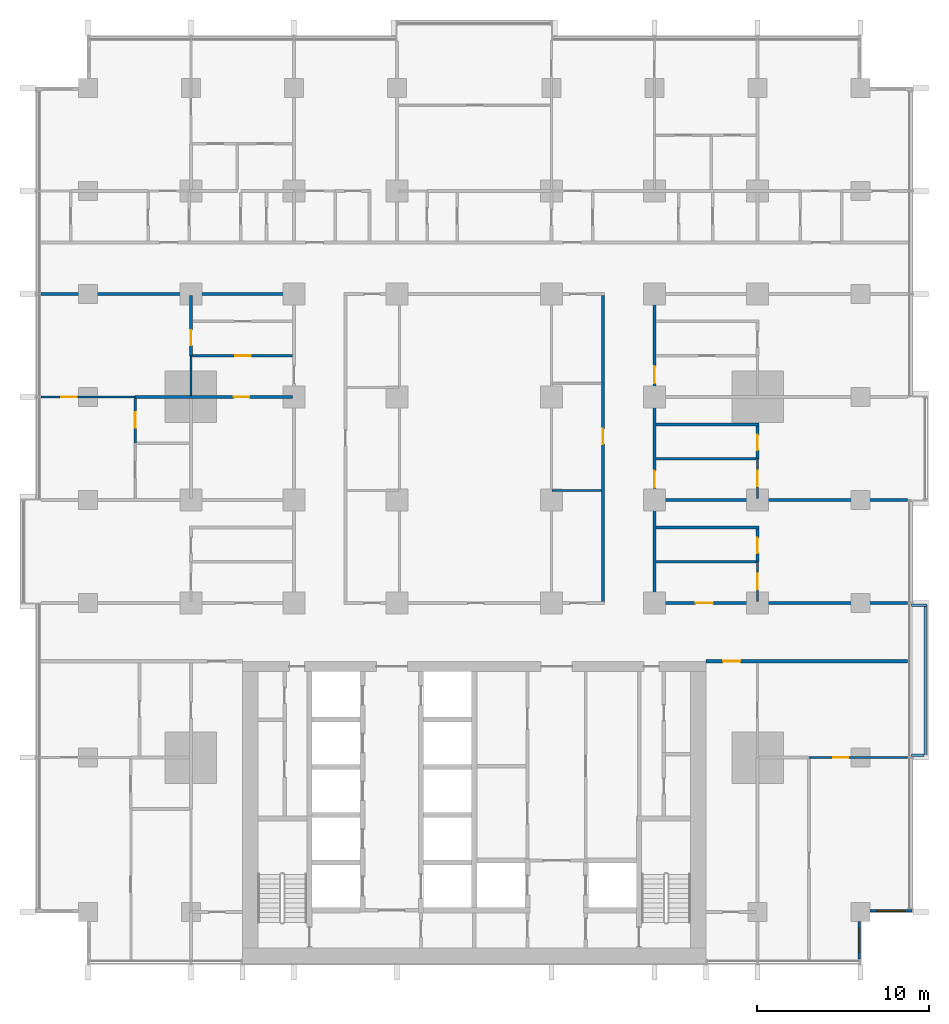
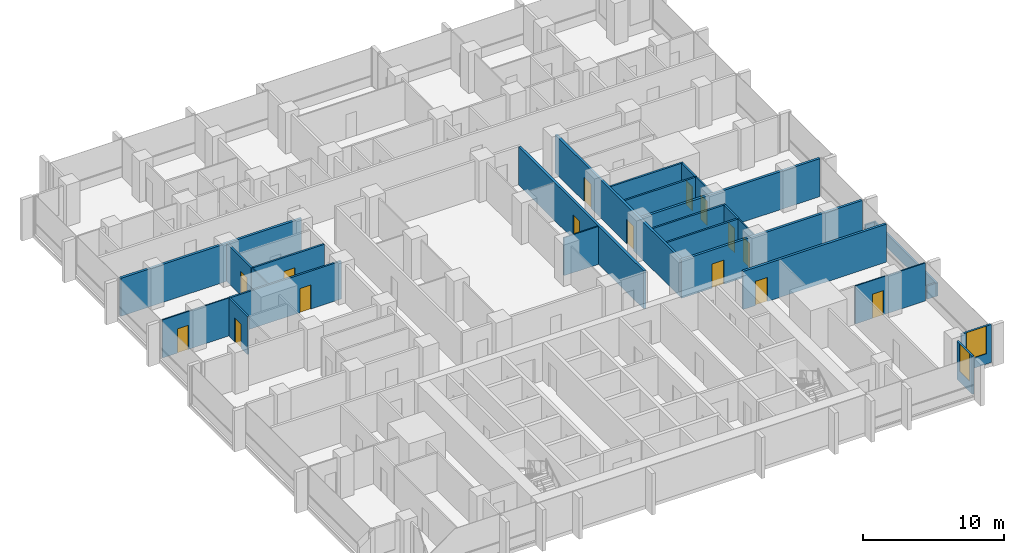
# One storey, part 10 of 18: 27 walls, 15 doors, 2 windows, 17 openings.
"""IFC4 building model written with IfcOpenShell, lengths in metres."""

from ifc_helpers import new_model, si_unit, direction, frame, frame_2d, origin, place, context, subcontext, project, spatial, rectangle, extrude, material, layer, layer_set, type_object, element, fill, save


model = new_model("IFC4")

# Units and contexts
model_context = context("Model", 3, precision=1e-05, world=origin(), true_north=direction((0.0, 1.0)))
body_context = subcontext(model_context, "Body", "Model", "MODEL_VIEW")
ifc_project = project(units=[si_unit("LENGTHUNIT", "METRE"), si_unit("AREAUNIT", "SQUARE_METRE"), si_unit("VOLUMEUNIT", "CUBIC_METRE"), si_unit("PLANEANGLEUNIT", "RADIAN"), si_unit("MASSUNIT", "GRAM", prefix="KILO")], contexts=[model_context])

# Site, building, storey
site_placement = place(None, origin())
site = spatial("IfcSite", under=ifc_project, at=site_placement, CompositionType="ELEMENT")
building_placement = place(site_placement, origin())
building = spatial("IfcBuilding", under=site, at=building_placement, Name="Finial Court Residences", CompositionType="ELEMENT")
storey_placement = place(building_placement, frame((0.0, 0.0, 50.5)))
storey = spatial("IfcBuildingStorey", under=building, at=storey_placement, Name="L11", CompositionType="ELEMENT", Elevation=50.5)

# Wall
ifc_material_1 = material(Name="Gypsum board")
ifc_layer_1 = layer(ifc_material_1, 0.02490234375)
ifc_material_2 = material(Name="Acoustic mineral wool in double frame")
ifc_layer_2 = layer(ifc_material_2, 0.14990234375)
ifc_layer_3 = layer(ifc_material_1, 0.02490234375)
ifc_layer_set_1 = layer_set([ifc_layer_1, ifc_layer_2, ifc_layer_3], Name="Acoustic party wall 200, 1 hour")
wall_type_1 = type_object("IfcWallType", Name="Acoustic party wall 200, 1 hour", PredefinedType="PARTITIONING", material=ifc_layer_set_1)
wall_1_placement = place(storey_placement, frame((10.60009765625, 1.5, 0.0), z_axis=(0.0, 0.0, 1.0), x_axis=(1.0, 0.0, 0.0)))
element("IfcWall", 1, at=wall_1_placement, inside=storey, type_object=wall_type_1, Name="Partition L11-017", PredefinedType="PARTITIONING", context=body_context, shape_type="SweptSolid", body=[
    extrude(rectangle(XDim=14.64990234375, YDim=0.199951171875, at=frame_2d((7.324951171875, 0.0))), origin(), (0.0, 0.0, 1.0), 3.300048828125),
])

# Wall, opening, door
ifc_layer_4 = layer(ifc_material_1, 0.02490234375)
ifc_layer_5 = layer(ifc_material_2, 0.14990234375)
ifc_layer_6 = layer(ifc_material_1, 0.02490234375)
ifc_layer_set_2 = layer_set([ifc_layer_4, ifc_layer_5, ifc_layer_6], Name="Corridor wall 200, 1 hour")
wall_type_2 = type_object("IfcWallType", Name="Corridor wall 200, 1 hour", PredefinedType="PARTITIONING", material=ifc_layer_set_2)
wall_2_placement = place(storey_placement, frame((13.5, -7.89990234375, 0.0), z_axis=(0.0, 0.0, 1.0), x_axis=(1.0, 0.0, 0.0)))
wall_2 = element("IfcWall", 2, at=wall_2_placement, inside=storey, type_object=wall_type_2, Name="Partition L11-008", PredefinedType="PARTITIONING", context=body_context, shape_type="SweptSolid", body=[
    extrude(rectangle(XDim=11.75, YDim=0.199951171875, at=frame_2d((5.875, 0.0))), origin(), (0.0, 0.0, 1.0), 3.300048828125),
])
opening_1_placement = place(wall_2_placement, frame((1.0, 0.0, 0.0)))
opening_1 = element("IfcOpeningElement", 3, at=opening_1_placement, cuts=wall_2, Name="Opening L11-D006", PredefinedType="OPENING", context=body_context, shape_type="SweptSolid", body=[
    extrude(rectangle(XDim=1.0, YDim=2.10009765625, at=frame_2d((0.5, 1.050048828125))), frame((0.0, 0.10986328125, 0.0), z_axis=(0.0, -1.0, 0.0), x_axis=(1.0, 0.0, 0.0)), (0.0, 0.0, 1.0), 0.219970703125),
])
ifc_material_3 = material(Name="Timber door leaf in hollow metal frame", Category="wood")
door_type_1 = type_object("IfcDoorType", Name="Fire door set 1000 x 2100, 30 minutes", OperationType="SINGLE_SWING_LEFT", PredefinedType="DOOR", material=ifc_material_3)
door_1_placement = place(opening_1_placement, origin())
door_1 = element("IfcDoor", 4, at=door_1_placement, inside=storey, type_object=door_type_1, Name="Door L11-D006", OperationType="SINGLE_SWING_LEFT", OverallHeight=2.10009765625, OverallWidth=1.0, PredefinedType="DOOR", context=body_context, shape_type="SweptSolid", body=[
    extrude(rectangle(XDim=1.0, YDim=2.10009765625, at=frame_2d((0.5, 1.050048828125))), frame((0.0, 0.02490234375, 0.0), z_axis=(0.0, -1.0, 0.0), x_axis=(1.0, 0.0, 0.0)), (0.0, 0.0, 1.0), 0.050048828125),
])
fill(opening_1, door_1)

wall_3_placement = place(storey_placement, frame((10.39990234375, -4.5, 0.0), z_axis=(0.0, 0.0, 1.0), x_axis=(1.0, 0.0, 0.0)))
wall_3 = element("IfcWall", 5, at=wall_3_placement, inside=storey, type_object=wall_type_2, Name="Partition L11-011", PredefinedType="PARTITIONING", context=body_context, shape_type="SweptSolid", body=[
    extrude(rectangle(XDim=14.85009765625, YDim=0.199951171875, at=frame_2d((7.425048828125, 0.0))), origin(), (0.0, 0.0, 1.0), 3.300048828125),
])
opening_2_placement = place(wall_3_placement, frame((2.5, 0.0, 0.0)))
opening_2 = element("IfcOpeningElement", 6, at=opening_2_placement, cuts=wall_3, Name="Opening L11-D011", PredefinedType="OPENING", context=body_context, shape_type="SweptSolid", body=[
    extrude(rectangle(XDim=1.0, YDim=2.10009765625, at=frame_2d((0.5, 1.050048828125))), frame((0.0, 0.10986328125, 0.0), z_axis=(0.0, -1.0, 0.0), x_axis=(1.0, 0.0, 0.0)), (0.0, 0.0, 1.0), 0.219970703125),
])
door_2_placement = place(opening_2_placement, origin())
door_2 = element("IfcDoor", 7, at=door_2_placement, inside=storey, type_object=door_type_1, Name="Door L11-D011", OperationType="SINGLE_SWING_RIGHT", OverallHeight=2.10009765625, OverallWidth=1.0, PredefinedType="DOOR", context=body_context, shape_type="SweptSolid", body=[
    extrude(rectangle(XDim=1.0, YDim=2.10009765625, at=frame_2d((0.5, 1.050048828125))), frame((0.0, 0.02490234375, 0.0), z_axis=(0.0, -1.0, 0.0), x_axis=(1.0, 0.0, 0.0)), (0.0, 0.0, 1.0), 0.050048828125),
])
fill(opening_2, door_2)

# Wall
wall_4_placement = place(storey_placement, frame((-25.25, 13.5, 0.0), z_axis=(0.0, 0.0, 1.0), x_axis=(1.0, 0.0, 0.0)))
element("IfcWall", 8, at=wall_4_placement, inside=storey, type_object=wall_type_2, Name="Partition L11-032", PredefinedType="PARTITIONING", context=body_context, shape_type="SweptSolid", body=[
    extrude(rectangle(XDim=14.85009765625, YDim=0.199951171875, at=frame_2d((7.425048828125, 0.0))), origin(), (0.0, 0.0, 1.0), 3.300048828125),
])

# Wall, opening, door
wall_5_placement = place(storey_placement, frame((7.5, -4.39990234375, 0.0), z_axis=(0.0, 0.0, 1.0), x_axis=(0.0, 1.0, 0.0)))
wall_5 = element("IfcWall", 9, at=wall_5_placement, inside=storey, type_object=wall_type_2, Name="Partition L11-090", PredefinedType="PARTITIONING", context=body_context, shape_type="SweptSolid", body=[
    extrude(rectangle(XDim=17.7998046875, YDim=0.199951171875, at=frame_2d((8.89990234375, 0.0))), origin(), (0.0, 0.0, 1.0), 3.300048828125),
])
opening_3_placement = place(wall_5_placement, frame((9.14990234375, 0.0, 0.0)))
opening_3 = element("IfcOpeningElement", 10, at=opening_3_placement, cuts=wall_5, Name="Opening L11-D056", PredefinedType="OPENING", context=body_context, shape_type="SweptSolid", body=[
    extrude(rectangle(XDim=0.89990234375, YDim=2.10009765625, at=frame_2d((0.449951171875, 1.050048828125))), frame((0.0, 0.10986328125, 0.0), z_axis=(0.0, -1.0, 0.0), x_axis=(1.0, 0.0, 0.0)), (0.0, 0.0, 1.0), 0.219970703125),
])
door_type_2 = type_object("IfcDoorType", Name="Fire door set 900 x 2100, 30 minutes", OperationType="SINGLE_SWING_LEFT", PredefinedType="DOOR", material=ifc_material_3)
door_3_placement = place(opening_3_placement, origin())
door_3 = element("IfcDoor", 11, at=door_3_placement, inside=storey, type_object=door_type_2, Name="Door L11-D056", OperationType="SINGLE_SWING_LEFT", OverallHeight=2.10009765625, OverallWidth=0.89990234375, PredefinedType="DOOR", context=body_context, shape_type="SweptSolid", body=[
    extrude(rectangle(XDim=0.89990234375, YDim=2.10009765625, at=frame_2d((0.449951171875, 1.050048828125))), frame((0.0, 0.02490234375, 0.0), z_axis=(0.0, -1.0, 0.0), x_axis=(1.0, 0.0, 0.0)), (0.0, 0.0, 1.0), 0.050048828125),
])
fill(opening_3, door_3)

# Wall, openings, doors
wall_6_placement = place(storey_placement, frame((10.5, -4.39990234375, 0.0), z_axis=(0.0, 0.0, 1.0), x_axis=(0.0, 1.0, 0.0)))
wall_6 = element("IfcWall", 12, at=wall_6_placement, inside=storey, type_object=wall_type_2, Name="Partition L11-091", PredefinedType="PARTITIONING", context=body_context, shape_type="SweptSolid", body=[
    extrude(rectangle(XDim=17.7998046875, YDim=0.199951171875, at=frame_2d((8.89990234375, 0.0))), origin(), (0.0, 0.0, 1.0), 3.300048828125),
])
opening_4_placement = place(wall_6_placement, frame((6.60009765625, 0.0, 0.0)))
opening_4 = element("IfcOpeningElement", 13, at=opening_4_placement, cuts=wall_6, Name="Opening L11-D057", PredefinedType="OPENING", context=body_context, shape_type="SweptSolid", body=[
    extrude(rectangle(XDim=1.0, YDim=2.10009765625, at=frame_2d((0.5, 1.050048828125))), frame((0.0, 0.10986328125, 0.0), z_axis=(0.0, -1.0, 0.0), x_axis=(1.0, 0.0, 0.0)), (0.0, 0.0, 1.0), 0.219970703125),
])
opening_5_placement = place(wall_6_placement, frame((12.699951171875, 0.0, 0.0)))
opening_5 = element("IfcOpeningElement", 14, at=opening_5_placement, cuts=wall_6, Name="Opening L11-D058", PredefinedType="OPENING", context=body_context, shape_type="SweptSolid", body=[
    extrude(rectangle(XDim=1.0, YDim=2.10009765625, at=frame_2d((0.5, 1.050048828125))), frame((0.0, 0.10986328125, 0.0), z_axis=(0.0, -1.0, 0.0), x_axis=(1.0, 0.0, 0.0)), (0.0, 0.0, 1.0), 0.219970703125),
])
door_4_placement = place(opening_4_placement, origin())
door_4 = element("IfcDoor", 15, at=door_4_placement, inside=storey, type_object=door_type_1, Name="Door L11-D057", OperationType="SINGLE_SWING_LEFT", OverallHeight=2.10009765625, OverallWidth=1.0, PredefinedType="DOOR", context=body_context, shape_type="SweptSolid", body=[
    extrude(rectangle(XDim=1.0, YDim=2.10009765625, at=frame_2d((0.5, 1.050048828125))), frame((0.0, 0.02490234375, 0.0), z_axis=(0.0, -1.0, 0.0), x_axis=(1.0, 0.0, 0.0)), (0.0, 0.0, 1.0), 0.050048828125),
])
fill(opening_4, door_4)
door_5_placement = place(opening_5_placement, origin())
door_5 = element("IfcDoor", 16, at=door_5_placement, inside=storey, type_object=door_type_1, Name="Door L11-D058", OperationType="SINGLE_SWING_RIGHT", OverallHeight=2.10009765625, OverallWidth=1.0, PredefinedType="DOOR", context=body_context, shape_type="SweptSolid", body=[
    extrude(rectangle(XDim=1.0, YDim=2.10009765625, at=frame_2d((0.5, 1.050048828125))), frame((0.0, 0.02490234375, 0.0), z_axis=(0.0, -1.0, 0.0), x_axis=(1.0, 0.0, 0.0)), (0.0, 0.0, 1.0), 0.050048828125),
])
fill(opening_5, door_5)

# Wall, opening, door
ifc_layer_7 = layer(ifc_material_1, 0.012451171875)
ifc_material_4 = material(Name="Mineral wool in light-gauge frame")
ifc_layer_8 = layer(ifc_material_4, 0.074951171875)
ifc_layer_9 = layer(ifc_material_1, 0.012451171875)
ifc_layer_set_3 = layer_set([ifc_layer_7, ifc_layer_8, ifc_layer_9], Name="Gypsum board partition 100")
wall_type_3 = type_object("IfcWallType", Name="Gypsum board partition 100", PredefinedType="PARTITIONING", material=ifc_layer_set_3)
wall_7_placement = place(storey_placement, frame((19.5, -13.5, 0.0), z_axis=(0.0, 0.0, 1.0), x_axis=(1.0, 0.0, 0.0)))
wall_7 = element("IfcWall", 17, at=wall_7_placement, inside=storey, type_object=wall_type_3, Name="Partition L11-004", PredefinedType="PARTITIONING", context=body_context, shape_type="SweptSolid", body=[
    extrude(rectangle(XDim=5.75, YDim=0.10009765625, at=frame_2d((2.875, 0.0))), origin(), (0.0, 0.0, 1.0), 3.300048828125),
])
opening_6_placement = place(wall_7_placement, frame((1.39990234375, 0.0, 0.0)))
opening_6 = element("IfcOpeningElement", 18, at=opening_6_placement, cuts=wall_7, Name="Opening L11-D004", PredefinedType="OPENING", context=body_context, shape_type="SweptSolid", body=[
    extrude(rectangle(XDim=0.89990234375, YDim=2.10009765625, at=frame_2d((0.449951171875, 1.050048828125))), frame((0.0, 0.06005859375, 0.0), z_axis=(0.0, -1.0, 0.0), x_axis=(1.0, 0.0, 0.0)), (0.0, 0.0, 1.0), 0.1201171875),
])
ifc_material_5 = material(Name="Timber door leaf in timber frame", Category="wood")
door_type_3 = type_object("IfcDoorType", Name="Door set 900 x 2100", OperationType="SINGLE_SWING_LEFT", PredefinedType="DOOR", material=ifc_material_5)
door_6_placement = place(opening_6_placement, origin())
door_6 = element("IfcDoor", 19, at=door_6_placement, inside=storey, type_object=door_type_3, Name="Door L11-D004", OperationType="SINGLE_SWING_LEFT", OverallHeight=2.10009765625, OverallWidth=0.89990234375, PredefinedType="DOOR", context=body_context, shape_type="SweptSolid", body=[
    extrude(rectangle(XDim=0.89990234375, YDim=2.10009765625, at=frame_2d((0.449951171875, 1.050048828125))), frame((0.0, 0.02490234375, 0.0), z_axis=(0.0, -1.0, 0.0), x_axis=(1.0, 0.0, 0.0)), (0.0, 0.0, 1.0), 0.050048828125),
])
fill(opening_6, door_6)

# Wall
wall_8_placement = place(storey_placement, frame((4.550048828125, 2.050048828125, 0.0), z_axis=(0.0, 0.0, 1.0), x_axis=(1.0, 0.0, 0.0)))
element("IfcWall", 20, at=wall_8_placement, inside=storey, type_object=wall_type_3, Name="Partition L11-019", PredefinedType="PARTITIONING", context=body_context, shape_type="SweptSolid", body=[
    extrude(rectangle(XDim=2.849853515625, YDim=0.10009765625, at=frame_2d((1.4248046875, 0.0))), origin(), (0.0, 0.0, 1.0), 3.300048828125),
])

# Wall, opening, door
wall_9_placement = place(storey_placement, frame((-25.25, 7.5, 0.0), z_axis=(0.0, 0.0, 1.0), x_axis=(1.0, 0.0, 0.0)))
wall_9 = element("IfcWall", 21, at=wall_9_placement, inside=storey, type_object=wall_type_3, Name="Partition L11-023", PredefinedType="PARTITIONING", context=body_context, shape_type="SweptSolid", body=[
    extrude(rectangle(XDim=5.5, YDim=0.10009765625, at=frame_2d((2.75, 0.0))), origin(), (0.0, 0.0, 1.0), 3.300048828125),
])
opening_7_placement = place(wall_9_placement, frame((1.199951171875, 0.0, 0.0)))
opening_7 = element("IfcOpeningElement", 22, at=opening_7_placement, cuts=wall_9, Name="Opening L11-D012", PredefinedType="OPENING", context=body_context, shape_type="SweptSolid", body=[
    extrude(rectangle(XDim=0.89990234375, YDim=2.10009765625, at=frame_2d((0.449951171875, 1.050048828125))), frame((0.0, 0.06005859375, 0.0), z_axis=(0.0, -1.0, 0.0), x_axis=(1.0, 0.0, 0.0)), (0.0, 0.0, 1.0), 0.1201171875),
])
door_7_placement = place(opening_7_placement, origin())
door_7 = element("IfcDoor", 23, at=door_7_placement, inside=storey, type_object=door_type_3, Name="Door L11-D012", OperationType="SINGLE_SWING_LEFT", OverallHeight=2.10009765625, OverallWidth=0.89990234375, PredefinedType="DOOR", context=body_context, shape_type="SweptSolid", body=[
    extrude(rectangle(XDim=0.89990234375, YDim=2.10009765625, at=frame_2d((0.449951171875, 1.050048828125))), frame((0.0, 0.02490234375, 0.0), z_axis=(0.0, -1.0, 0.0), x_axis=(1.0, 0.0, 0.0)), (0.0, 0.0, 1.0), 0.050048828125),
])
fill(opening_7, door_7)

# Wall
wall_10_placement = place(storey_placement, frame((-16.5, 7.574951171875, 0.0), z_axis=(0.0, 0.0, 1.0), x_axis=(0.0, 1.0, 0.0)))
element("IfcWall", 24, at=wall_10_placement, inside=storey, type_object=wall_type_3, Name="Partition L11-065", PredefinedType="PARTITIONING", context=body_context, shape_type="SweptSolid", body=[
    extrude(rectangle(XDim=2.324951171875, YDim=0.10009765625, at=frame_2d((1.16259765625, 0.0))), origin(), (0.0, 0.0, 1.0), 3.300048828125),
])

# Wall, opening, door
wall_11_placement = place(storey_placement, frame((16.5, -4.39990234375, 0.0), z_axis=(0.0, 0.0, 1.0), x_axis=(0.0, 1.0, 0.0)))
wall_11 = element("IfcWall", 25, at=wall_11_placement, inside=storey, type_object=wall_type_3, Name="Partition L11-097", PredefinedType="PARTITIONING", context=body_context, shape_type="SweptSolid", body=[
    extrude(rectangle(XDim=2.2998046875, YDim=0.10009765625, at=frame_2d((1.14990234375, 0.0))), origin(), (0.0, 0.0, 1.0), 3.300048828125),
])
opening_8_placement = place(wall_11_placement, frame((0.699951171875, 0.0, 0.0)))
opening_8 = element("IfcOpeningElement", 26, at=opening_8_placement, cuts=wall_11, Name="Opening L11-D063", PredefinedType="OPENING", context=body_context, shape_type="SweptSolid", body=[
    extrude(rectangle(XDim=0.89990234375, YDim=2.10009765625, at=frame_2d((0.449951171875, 1.050048828125))), frame((0.0, 0.06005859375, 0.0), z_axis=(0.0, -1.0, 0.0), x_axis=(1.0, 0.0, 0.0)), (0.0, 0.0, 1.0), 0.1201171875),
])
door_8_placement = place(opening_8_placement, origin())
door_8 = element("IfcDoor", 27, at=door_8_placement, inside=storey, type_object=door_type_3, Name="Door L11-D063", OperationType="SINGLE_SWING_LEFT", OverallHeight=2.10009765625, OverallWidth=0.89990234375, PredefinedType="DOOR", context=body_context, shape_type="SweptSolid", body=[
    extrude(rectangle(XDim=0.89990234375, YDim=2.10009765625, at=frame_2d((0.449951171875, 1.050048828125))), frame((0.0, 0.02490234375, 0.0), z_axis=(0.0, -1.0, 0.0), x_axis=(1.0, 0.0, 0.0)), (0.0, 0.0, 1.0), 0.050048828125),
])
fill(opening_8, door_8)

wall_12_placement = place(storey_placement, frame((16.5, 1.60009765625, 0.0), z_axis=(0.0, 0.0, 1.0), x_axis=(0.0, 1.0, 0.0)))
wall_12 = element("IfcWall", 28, at=wall_12_placement, inside=storey, type_object=wall_type_3, Name="Partition L11-098", PredefinedType="PARTITIONING", context=body_context, shape_type="SweptSolid", body=[
    extrude(rectangle(XDim=2.2998046875, YDim=0.10009765625, at=frame_2d((1.14990234375, 0.0))), origin(), (0.0, 0.0, 1.0), 3.300048828125),
])
opening_9_placement = place(wall_12_placement, frame((0.699951171875, 0.0, 0.0)))
opening_9 = element("IfcOpeningElement", 29, at=opening_9_placement, cuts=wall_12, Name="Opening L11-D064", PredefinedType="OPENING", context=body_context, shape_type="SweptSolid", body=[
    extrude(rectangle(XDim=0.89990234375, YDim=2.10009765625, at=frame_2d((0.449951171875, 1.050048828125))), frame((0.0, 0.06005859375, 0.0), z_axis=(0.0, -1.0, 0.0), x_axis=(1.0, 0.0, 0.0)), (0.0, 0.0, 1.0), 0.1201171875),
])
door_9_placement = place(opening_9_placement, origin())
door_9 = element("IfcDoor", 30, at=door_9_placement, inside=storey, type_object=door_type_3, Name="Door L11-D064", OperationType="SINGLE_SWING_RIGHT", OverallHeight=2.10009765625, OverallWidth=0.89990234375, PredefinedType="DOOR", context=body_context, shape_type="SweptSolid", body=[
    extrude(rectangle(XDim=0.89990234375, YDim=2.10009765625, at=frame_2d((0.449951171875, 1.050048828125))), frame((0.0, 0.02490234375, 0.0), z_axis=(0.0, -1.0, 0.0), x_axis=(1.0, 0.0, 0.0)), (0.0, 0.0, 1.0), 0.050048828125),
])
fill(opening_9, door_9)

# Walls
ifc_material_6 = material(Name="Moisture-resistant gypsum board")
ifc_layer_10 = layer(ifc_material_6, 0.012451171875)
ifc_layer_11 = layer(ifc_material_4, 0.125)
ifc_layer_12 = layer(ifc_material_6, 0.012451171875)
ifc_layer_set_4 = layer_set([ifc_layer_10, ifc_layer_11, ifc_layer_12], Name="Gypsum board wet-area partition 150")
wall_type_4 = type_object("IfcWallType", Name="Gypsum board wet-area partition 150", PredefinedType="PARTITIONING", material=ifc_layer_set_4)
wall_13_placement = place(storey_placement, frame((10.60009765625, -2.10009765625, 0.0), z_axis=(0.0, 0.0, 1.0), x_axis=(1.0, 0.0, 0.0)))
element("IfcWall", 31, at=wall_13_placement, inside=storey, type_object=wall_type_4, Name="Partition L11-013", PredefinedType="PARTITIONING", context=body_context, shape_type="SweptSolid", body=[
    extrude(rectangle(XDim=5.824951171875, YDim=0.14990234375, at=frame_2d((2.91259765625, 0.0))), origin(), (0.0, 0.0, 1.0), 3.300048828125),
])
wall_14_placement = place(storey_placement, frame((10.60009765625, -0.10009765625, 0.0), z_axis=(0.0, 0.0, 1.0), x_axis=(1.0, 0.0, 0.0)))
element("IfcWall", 32, at=wall_14_placement, inside=storey, type_object=wall_type_4, Name="Partition L11-015", PredefinedType="PARTITIONING", context=body_context, shape_type="SweptSolid", body=[
    extrude(rectangle(XDim=5.974853515625, YDim=0.14990234375, at=frame_2d((2.9873046875, 0.0))), origin(), (0.0, 0.0, 1.0), 3.300048828125),
])
wall_15_placement = place(storey_placement, frame((10.60009765625, 3.89990234375, 0.0), z_axis=(0.0, 0.0, 1.0), x_axis=(1.0, 0.0, 0.0)))
element("IfcWall", 33, at=wall_15_placement, inside=storey, type_object=wall_type_4, Name="Partition L11-020", PredefinedType="PARTITIONING", context=body_context, shape_type="SweptSolid", body=[
    extrude(rectangle(XDim=5.824951171875, YDim=0.14990234375, at=frame_2d((2.91259765625, 0.0))), origin(), (0.0, 0.0, 1.0), 3.300048828125),
])
wall_16_placement = place(storey_placement, frame((10.60009765625, 5.89990234375, 0.0), z_axis=(0.0, 0.0, 1.0), x_axis=(1.0, 0.0, 0.0)))
element("IfcWall", 34, at=wall_16_placement, inside=storey, type_object=wall_type_4, Name="Partition L11-022", PredefinedType="PARTITIONING", context=body_context, shape_type="SweptSolid", body=[
    extrude(rectangle(XDim=5.974853515625, YDim=0.14990234375, at=frame_2d((2.9873046875, 0.0))), origin(), (0.0, 0.0, 1.0), 3.300048828125),
])

# Wall, opening, door
wall_17_placement = place(storey_placement, frame((-19.75, 7.5, 0.0), z_axis=(0.0, 0.0, 1.0), x_axis=(1.0, 0.0, 0.0)))
wall_17 = element("IfcWall", 35, at=wall_17_placement, inside=storey, type_object=wall_type_4, Name="Partition L11-025", PredefinedType="PARTITIONING", context=body_context, shape_type="SweptSolid", body=[
    extrude(rectangle(XDim=9.14990234375, YDim=0.14990234375, at=frame_2d((4.574951171875, 0.0))), origin(), (0.0, 0.0, 1.0), 3.300048828125),
])
opening_10_placement = place(wall_17_placement, frame((5.75, 0.0, 0.0)))
opening_10 = element("IfcOpeningElement", 36, at=opening_10_placement, cuts=wall_17, Name="Opening L11-D013", PredefinedType="OPENING", context=body_context, shape_type="SweptSolid", body=[
    extrude(rectangle(XDim=0.89990234375, YDim=2.10009765625, at=frame_2d((0.449951171875, 1.050048828125))), frame((0.0, 0.0849609375, 0.0), z_axis=(0.0, -1.0, 0.0), x_axis=(1.0, 0.0, 0.0)), (0.0, 0.0, 1.0), 0.169921875),
])
door_10_placement = place(opening_10_placement, origin())
door_10 = element("IfcDoor", 37, at=door_10_placement, inside=storey, type_object=door_type_3, Name="Door L11-D013", OperationType="SINGLE_SWING_RIGHT", OverallHeight=2.10009765625, OverallWidth=0.89990234375, PredefinedType="DOOR", context=body_context, shape_type="SweptSolid", body=[
    extrude(rectangle(XDim=0.89990234375, YDim=2.10009765625, at=frame_2d((0.449951171875, 1.050048828125))), frame((0.0, 0.02490234375, 0.0), z_axis=(0.0, -1.0, 0.0), x_axis=(1.0, 0.0, 0.0)), (0.0, 0.0, 1.0), 0.050048828125),
])
fill(opening_10, door_10)

wall_18_placement = place(storey_placement, frame((-16.425048828125, 9.89990234375, 0.0), z_axis=(0.0, 0.0, 1.0), x_axis=(1.0, 0.0, 0.0)))
wall_18 = element("IfcWall", 38, at=wall_18_placement, inside=storey, type_object=wall_type_4, Name="Partition L11-028", PredefinedType="PARTITIONING", context=body_context, shape_type="SweptSolid", body=[
    extrude(rectangle(XDim=5.824951171875, YDim=0.14990234375, at=frame_2d((2.91259765625, 0.0))), origin(), (0.0, 0.0, 1.0), 3.300048828125),
])
opening_11_placement = place(wall_18_placement, frame((2.5, 0.0, 0.0)))
opening_11 = element("IfcOpeningElement", 39, at=opening_11_placement, cuts=wall_18, Name="Opening L11-D014", PredefinedType="OPENING", context=body_context, shape_type="SweptSolid", body=[
    extrude(rectangle(XDim=0.89990234375, YDim=2.10009765625, at=frame_2d((0.449951171875, 1.050048828125))), frame((0.0, 0.0849609375, 0.0), z_axis=(0.0, -1.0, 0.0), x_axis=(1.0, 0.0, 0.0)), (0.0, 0.0, 1.0), 0.169921875),
])
door_11_placement = place(opening_11_placement, origin())
door_11 = element("IfcDoor", 40, at=door_11_placement, inside=storey, type_object=door_type_3, Name="Door L11-D014", OperationType="SINGLE_SWING_LEFT", OverallHeight=2.10009765625, OverallWidth=0.89990234375, PredefinedType="DOOR", context=body_context, shape_type="SweptSolid", body=[
    extrude(rectangle(XDim=0.89990234375, YDim=2.10009765625, at=frame_2d((0.449951171875, 1.050048828125))), frame((0.0, 0.02490234375, 0.0), z_axis=(0.0, -1.0, 0.0), x_axis=(1.0, 0.0, 0.0)), (0.0, 0.0, 1.0), 0.050048828125),
])
fill(opening_11, door_11)

wall_19_placement = place(storey_placement, frame((-19.75, 4.800048828125, 0.0), z_axis=(0.0, 0.0, 1.0), x_axis=(0.0, 1.0, 0.0)))
wall_19 = element("IfcWall", 41, at=wall_19_placement, inside=storey, type_object=wall_type_4, Name="Partition L11-059", PredefinedType="PARTITIONING", context=body_context, shape_type="SweptSolid", body=[
    extrude(rectangle(XDim=2.625, YDim=0.14990234375, at=frame_2d((1.3125, 0.0))), origin(), (0.0, 0.0, 1.0), 3.300048828125),
])
opening_12_placement = place(wall_19_placement, frame((0.89990234375, 0.0, 0.0)))
opening_12 = element("IfcOpeningElement", 42, at=opening_12_placement, cuts=wall_19, Name="Opening L11-D038", PredefinedType="OPENING", context=body_context, shape_type="SweptSolid", body=[
    extrude(rectangle(XDim=0.89990234375, YDim=2.10009765625, at=frame_2d((0.449951171875, 1.050048828125))), frame((0.0, 0.0849609375, 0.0), z_axis=(0.0, -1.0, 0.0), x_axis=(1.0, 0.0, 0.0)), (0.0, 0.0, 1.0), 0.169921875),
])
door_12_placement = place(opening_12_placement, origin())
door_12 = element("IfcDoor", 43, at=door_12_placement, inside=storey, type_object=door_type_3, Name="Door L11-D038", OperationType="SINGLE_SWING_LEFT", OverallHeight=2.10009765625, OverallWidth=0.89990234375, PredefinedType="DOOR", context=body_context, shape_type="SweptSolid", body=[
    extrude(rectangle(XDim=0.89990234375, YDim=2.10009765625, at=frame_2d((0.449951171875, 1.050048828125))), frame((0.0, 0.02490234375, 0.0), z_axis=(0.0, -1.0, 0.0), x_axis=(1.0, 0.0, 0.0)), (0.0, 0.0, 1.0), 0.050048828125),
])
fill(opening_12, door_12)

wall_20_placement = place(storey_placement, frame((-16.5, 9.89990234375, 0.0), z_axis=(0.0, 0.0, 1.0), x_axis=(0.0, 1.0, 0.0)))
wall_20 = element("IfcWall", 44, at=wall_20_placement, inside=storey, type_object=wall_type_4, Name="Partition L11-071", PredefinedType="PARTITIONING", context=body_context, shape_type="SweptSolid", body=[
    extrude(rectangle(XDim=3.5, YDim=0.14990234375, at=frame_2d((1.75, 0.0))), origin(), (0.0, 0.0, 1.0), 3.300048828125),
])
opening_13_placement = place(wall_20_placement, frame((0.60009765625, 0.0, 0.0)))
opening_13 = element("IfcOpeningElement", 45, at=opening_13_placement, cuts=wall_20, Name="Opening L11-D046", PredefinedType="OPENING", context=body_context, shape_type="SweptSolid", body=[
    extrude(rectangle(XDim=0.89990234375, YDim=2.10009765625, at=frame_2d((0.449951171875, 1.050048828125))), frame((0.0, 0.0849609375, 0.0), z_axis=(0.0, -1.0, 0.0), x_axis=(1.0, 0.0, 0.0)), (0.0, 0.0, 1.0), 0.169921875),
])
door_13_placement = place(opening_13_placement, origin())
door_13 = element("IfcDoor", 46, at=door_13_placement, inside=storey, type_object=door_type_3, Name="Door L11-D046", OperationType="SINGLE_SWING_RIGHT", OverallHeight=2.10009765625, OverallWidth=0.89990234375, PredefinedType="DOOR", context=body_context, shape_type="SweptSolid", body=[
    extrude(rectangle(XDim=0.89990234375, YDim=2.10009765625, at=frame_2d((0.449951171875, 1.050048828125))), frame((0.0, 0.02490234375, 0.0), z_axis=(0.0, -1.0, 0.0), x_axis=(1.0, 0.0, 0.0)), (0.0, 0.0, 1.0), 0.050048828125),
])
fill(opening_13, door_13)

wall_21_placement = place(storey_placement, frame((16.5, -2.10009765625, 0.0), z_axis=(0.0, 0.0, 1.0), x_axis=(0.0, 1.0, 0.0)))
wall_21 = element("IfcWall", 47, at=wall_21_placement, inside=storey, type_object=wall_type_4, Name="Partition L11-103", PredefinedType="PARTITIONING", context=body_context, shape_type="SweptSolid", body=[
    extrude(rectangle(XDim=1.925048828125, YDim=0.14990234375, at=frame_2d((0.96240234375, 0.0))), origin(), (0.0, 0.0, 1.0), 3.300048828125),
])
opening_14_placement = place(wall_21_placement, frame((0.5, 0.0, 0.0)))
opening_14 = element("IfcOpeningElement", 48, at=opening_14_placement, cuts=wall_21, Name="Opening L11-D065", PredefinedType="OPENING", context=body_context, shape_type="SweptSolid", body=[
    extrude(rectangle(XDim=0.89990234375, YDim=2.10009765625, at=frame_2d((0.449951171875, 1.050048828125))), frame((0.0, 0.0849609375, 0.0), z_axis=(0.0, -1.0, 0.0), x_axis=(1.0, 0.0, 0.0)), (0.0, 0.0, 1.0), 0.169921875),
])
door_14_placement = place(opening_14_placement, origin())
door_14 = element("IfcDoor", 49, at=door_14_placement, inside=storey, type_object=door_type_3, Name="Door L11-D065", OperationType="SINGLE_SWING_RIGHT", OverallHeight=2.10009765625, OverallWidth=0.89990234375, PredefinedType="DOOR", context=body_context, shape_type="SweptSolid", body=[
    extrude(rectangle(XDim=0.89990234375, YDim=2.10009765625, at=frame_2d((0.449951171875, 1.050048828125))), frame((0.0, 0.02490234375, 0.0), z_axis=(0.0, -1.0, 0.0), x_axis=(1.0, 0.0, 0.0)), (0.0, 0.0, 1.0), 0.050048828125),
])
fill(opening_14, door_14)

wall_22_placement = place(storey_placement, frame((16.5, 3.89990234375, 0.0), z_axis=(0.0, 0.0, 1.0), x_axis=(0.0, 1.0, 0.0)))
wall_22 = element("IfcWall", 50, at=wall_22_placement, inside=storey, type_object=wall_type_4, Name="Partition L11-104", PredefinedType="PARTITIONING", context=body_context, shape_type="SweptSolid", body=[
    extrude(rectangle(XDim=1.925048828125, YDim=0.14990234375, at=frame_2d((0.96240234375, 0.0))), origin(), (0.0, 0.0, 1.0), 3.300048828125),
])
opening_15_placement = place(wall_22_placement, frame((0.5, 0.0, 0.0)))
opening_15 = element("IfcOpeningElement", 51, at=opening_15_placement, cuts=wall_22, Name="Opening L11-D066", PredefinedType="OPENING", context=body_context, shape_type="SweptSolid", body=[
    extrude(rectangle(XDim=0.89990234375, YDim=2.10009765625, at=frame_2d((0.449951171875, 1.050048828125))), frame((0.0, 0.0849609375, 0.0), z_axis=(0.0, -1.0, 0.0), x_axis=(1.0, 0.0, 0.0)), (0.0, 0.0, 1.0), 0.169921875),
])
door_15_placement = place(opening_15_placement, origin())
door_15 = element("IfcDoor", 52, at=door_15_placement, inside=storey, type_object=door_type_3, Name="Door L11-D066", OperationType="SINGLE_SWING_RIGHT", OverallHeight=2.10009765625, OverallWidth=0.89990234375, PredefinedType="DOOR", context=body_context, shape_type="SweptSolid", body=[
    extrude(rectangle(XDim=0.89990234375, YDim=2.10009765625, at=frame_2d((0.449951171875, 1.050048828125))), frame((0.0, 0.02490234375, 0.0), z_axis=(0.0, -1.0, 0.0), x_axis=(1.0, 0.0, 0.0)), (0.0, 0.0, 1.0), 0.050048828125),
])
fill(opening_15, door_15)

# Walls
ifc_material_7 = material(Name="Concrete C35/45", Category="concrete")
ifc_layer_13 = layer(ifc_material_7, 0.14990234375)
ifc_layer_set_5 = layer_set([ifc_layer_13], Name="Ledge parapet, Concrete C35/45 150")
wall_type_5 = type_object("IfcWallType", Name="Ledge parapet, Concrete C35/45 150", PredefinedType="PARAPET", material=ifc_layer_set_5)
wall_23_placement = place(storey_placement, frame((25.4599609375, -4.625, 0.0), z_axis=(0.0, 0.0, 1.0), x_axis=(1.0, 0.0, 0.0)))
element("IfcWall", 53, at=wall_23_placement, inside=storey, type_object=wall_type_5, Name="E-L11-LED1-P1", PredefinedType="PARAPET", context=body_context, shape_type="SweptSolid", body=[
    extrude(rectangle(XDim=0.89013671875, YDim=0.14990234375, at=frame_2d((0.445068359375, 0.0))), origin(), (0.0, 0.0, 1.0), 1.14990234375),
])
wall_24_placement = place(storey_placement, frame((26.27490234375, -4.699951171875, 0.0), z_axis=(0.0, 0.0, 1.0), x_axis=(0.0, -1.0, 0.0)))
element("IfcWall", 54, at=wall_24_placement, inside=storey, type_object=wall_type_5, Name="E-L11-LED1-P2", PredefinedType="PARAPET", context=body_context, shape_type="SweptSolid", body=[
    extrude(rectangle(XDim=8.75, YDim=0.14990234375, at=frame_2d((4.375, 0.0))), origin(), (0.0, 0.0, 1.0), 1.14990234375),
])
wall_25_placement = place(storey_placement, frame((26.199951171875, -13.375, 0.0), z_axis=(0.0, 0.0, 1.0), x_axis=(-1.0, 0.0, 0.0)))
element("IfcWall", 55, at=wall_25_placement, inside=storey, type_object=wall_type_5, Name="E-L11-LED1-P3", PredefinedType="PARAPET", context=body_context, shape_type="SweptSolid", body=[
    extrude(rectangle(XDim=0.739990234375, YDim=0.14990234375, at=frame_2d((0.3701171875, 0.0))), origin(), (0.0, 0.0, 1.0), 1.14990234375),
])

# Wall, opening, window
ifc_material_8 = material(Name="Natural limestone", Category="masonry")
ifc_layer_14 = layer(ifc_material_8, 0.14990234375)
ifc_layer_set_6 = layer_set([ifc_layer_14], Name="Limestone clad wall 150")
wall_type_6 = type_object("IfcWallType", Name="Limestone clad wall 150", PredefinedType="SOLIDWALL", material=ifc_layer_set_6)
wall_26_placement = place(storey_placement, frame((22.425048828125, -23.050048828125, 0.0), z_axis=(0.0, 0.0, 1.0), x_axis=(0.0, -1.0, 0.0)))
wall_26 = element("IfcWall", 56, at=wall_26_placement, inside=storey, type_object=wall_type_6, Name="E-L11-NWE14", PredefinedType="SOLIDWALL", context=body_context, shape_type="SweptSolid", body=[
    extrude(rectangle(XDim=2.199951171875, YDim=0.14990234375, at=frame_2d((1.10009765625, 0.0))), origin(), (0.0, 0.0, 1.0), 3.300048828125),
])
opening_16_placement = place(wall_26_placement, frame((0.39990234375, 0.0, 0.89990234375)))
opening_16 = element("IfcOpeningElement", 57, at=opening_16_placement, cuts=wall_26, Name="Opening WE11-03", PredefinedType="OPENING", context=body_context, shape_type="SweptSolid", body=[
    extrude(rectangle(XDim=1.39990234375, YDim=2.39990234375, at=frame_2d((0.699951171875, 1.199951171875))), frame((0.0, 0.0849609375, 0.0), z_axis=(0.0, -1.0, 0.0), x_axis=(1.0, 0.0, 0.0)), (0.0, 0.0, 1.0), 0.169921875),
])
ifc_material_9 = material(Name="Clear low-e glass", Category="glass")
window_type_1 = type_object("IfcWindowType", Name="Corner window 1400 x 2400", PartitioningType="SINGLE_PANEL", PredefinedType="WINDOW", material=ifc_material_9)
window_1_placement = place(opening_16_placement, origin())
window_1 = element("IfcWindow", 58, at=window_1_placement, inside=storey, type_object=window_type_1, Name="E-L11-NWE14-W1", OverallHeight=2.39990234375, OverallWidth=1.39990234375, PartitioningType="SINGLE_PANEL", PredefinedType="WINDOW", context=body_context, shape_type="SweptSolid", body=[
    extrude(rectangle(XDim=1.39990234375, YDim=2.39990234375, at=frame_2d((0.699951171875, 1.199951171875))), frame((0.0, 0.030029296875, 0.0), z_axis=(0.0, -1.0, 0.0), x_axis=(1.0, 0.0, 0.0)), (0.0, 0.0, 1.0), 0.06005859375),
])
fill(opening_16, window_1)

wall_27_placement = place(storey_placement, frame((25.5, -22.425048828125, 0.0), z_axis=(0.0, 0.0, 1.0), x_axis=(-1.0, 0.0, 0.0)))
wall_27 = element("IfcWall", 59, at=wall_27_placement, inside=storey, type_object=wall_type_6, Name="E-L11-NWS15", PredefinedType="SOLIDWALL", context=body_context, shape_type="SweptSolid", body=[
    extrude(rectangle(XDim=2.449951171875, YDim=0.14990234375, at=frame_2d((1.22509765625, 0.0))), origin(), (0.0, 0.0, 1.0), 3.300048828125),
])
opening_17_placement = place(wall_27_placement, frame((0.39990234375, 0.0, 0.89990234375)))
opening_17 = element("IfcOpeningElement", 60, at=opening_17_placement, cuts=wall_27, Name="Opening WE11-04", PredefinedType="OPENING", context=body_context, shape_type="SweptSolid", body=[
    extrude(rectangle(XDim=1.64990234375, YDim=2.39990234375, at=frame_2d((0.824951171875, 1.199951171875))), frame((0.0, 0.0849609375, 0.0), z_axis=(0.0, -1.0, 0.0), x_axis=(1.0, 0.0, 0.0)), (0.0, 0.0, 1.0), 0.169921875),
])
window_type_2 = type_object("IfcWindowType", Name="Corner window 1650 x 2400", PartitioningType="SINGLE_PANEL", PredefinedType="WINDOW", material=ifc_material_9)
window_2_placement = place(opening_17_placement, origin())
window_2 = element("IfcWindow", 61, at=window_2_placement, inside=storey, type_object=window_type_2, Name="E-L11-NWS15-W1", OverallHeight=2.39990234375, OverallWidth=1.64990234375, PartitioningType="SINGLE_PANEL", PredefinedType="WINDOW", context=body_context, shape_type="SweptSolid", body=[
    extrude(rectangle(XDim=1.64990234375, YDim=2.39990234375, at=frame_2d((0.824951171875, 1.199951171875))), frame((0.0, 0.030029296875, 0.0), z_axis=(0.0, -1.0, 0.0), x_axis=(1.0, 0.0, 0.0)), (0.0, 0.0, 1.0), 0.06005859375),
])
fill(opening_17, window_2)

save(model, "model.ifc")
